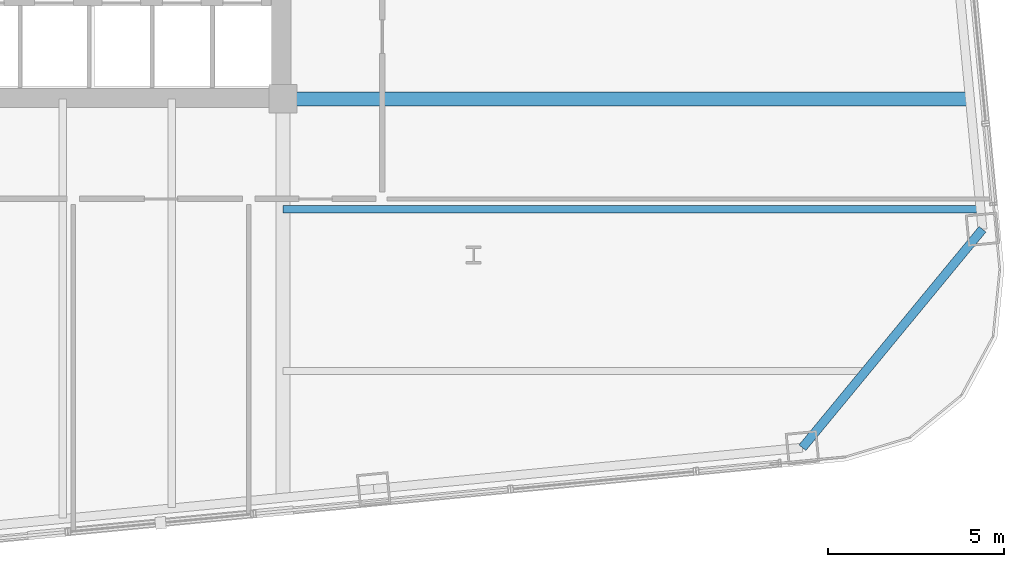
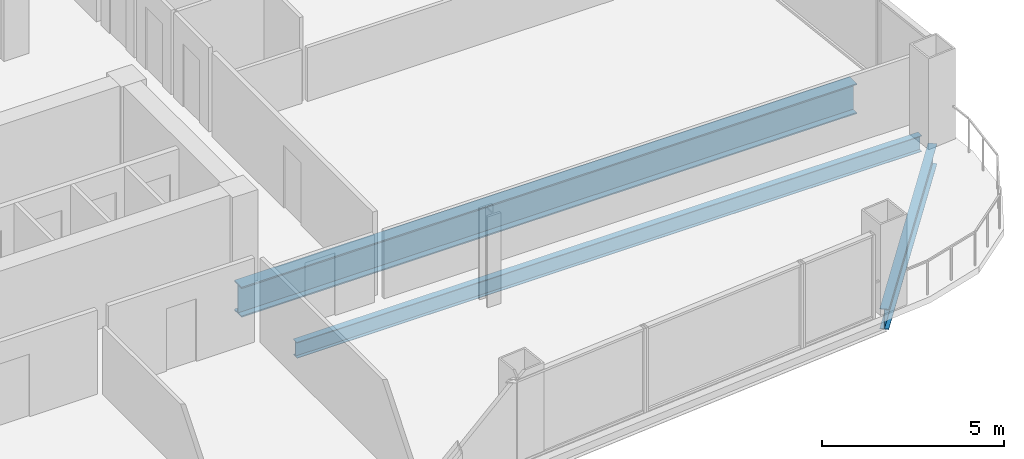
# One storey, part 10 of 27: 3 beams.
"""IFC4 building model written with IfcOpenShell, lengths in metres."""

from ifc_helpers import new_model, si_unit, direction, frame, origin, origin_2d, place, context, subcontext, project, spatial, i_section, extrude, material, material_profile, profile_set, type_object, element, save


model = new_model("IFC4")

# Units and contexts
model_context = context("Model", 3, precision=1e-05, world=origin(), true_north=direction((0.0, 1.0)))
body_context = subcontext(model_context, "Body", "Model", "MODEL_VIEW")
ifc_project = project(units=[si_unit("LENGTHUNIT", "METRE"), si_unit("AREAUNIT", "SQUARE_METRE"), si_unit("VOLUMEUNIT", "CUBIC_METRE"), si_unit("PLANEANGLEUNIT", "RADIAN"), si_unit("MASSUNIT", "GRAM", prefix="KILO")], contexts=[model_context])

# Site, building, storey
site_placement = place(None, origin())
site = spatial("IfcSite", under=ifc_project, at=site_placement, CompositionType="ELEMENT")
building_placement = place(site_placement, origin())
building = spatial("IfcBuilding", under=site, at=building_placement, Name="Qhalaya Broadcast Tower", CompositionType="ELEMENT")
storey_placement = place(building_placement, frame((0.0, 0.0, 84.699951171875)))
storey = spatial("IfcBuildingStorey", under=building, at=storey_placement, Name="L24", CompositionType="ELEMENT", Elevation=84.699951171875)

# Beams
ifc_material = material(Name="Structural Steel ASTM A992 Grade 50", Category="steel")
ifc_material_profile_1 = material_profile(ifc_material, i_section(OverallWidth=0.2099609375, OverallDepth=0.535888671875, WebThickness=0.010986328125, FlangeThickness=0.017333984375, at=origin_2d()), Name="W21X68")
ifc_profile_set_1 = profile_set([ifc_material_profile_1], Name="Structural Steel ASTM A992 Grade 50")
beam_type_1 = type_object("IfcBeamType", Name="Composite Floor Joist J02", PredefinedType="JOIST", material=ifc_profile_set_1)
beam_1_placement = place(storey_placement, frame((9.375, -11.89990234375, -0.488037109375), z_axis=(1.0, 0.0, 0.0), x_axis=(0.0, 1.0, 0.0)))
element("IfcBeam", 1, at=beam_1_placement, inside=storey, type_object=beam_type_1, Name="L24 J02 L24-JWE2E-1", PredefinedType="JOIST", context=body_context, shape_type="SweptSolid", body=[
    extrude(i_section(OverallWidth=0.2099609375, OverallDepth=0.535888671875, WebThickness=0.010986328125, FlangeThickness=0.017333984375, at=origin_2d()), origin(), (0.0, 0.0, 1.0), 19.843017578125),
])
ifc_material_profile_2 = material_profile(ifc_material, i_section(OverallWidth=0.40087890625, OverallDepth=1.010986328125, WebThickness=0.023681640625, FlangeThickness=0.0419921875, at=origin_2d()), Name="W40X297")
ifc_profile_set_2 = profile_set([ifc_material_profile_2], Name="Structural Steel ASTM A992 Grade 50")
beam_type_2 = type_object("IfcBeamType", Name="Lower Block Primary Girder PG2", PredefinedType="USERDEFINED", material=ifc_profile_set_2)
beam_2_placement = place(storey_placement, frame((9.375, -8.75, -0.725341796875), z_axis=(1.0, 0.0, 0.0), x_axis=(0.0, 1.0, 0.0)))
element("IfcBeam", 2, at=beam_2_placement, inside=storey, type_object=beam_type_2, Name="L24 PG2 L24-PGYE1-1", ObjectType="GIRDER", PredefinedType="USERDEFINED", context=body_context, shape_type="SweptSolid", body=[
    extrude(i_section(OverallWidth=0.40087890625, OverallDepth=1.010986328125, WebThickness=0.023681640625, FlangeThickness=0.0419921875, at=origin_2d()), origin(), (0.0, 0.0, 1.0), 19.539794921875),
])
ifc_material_profile_3 = material_profile(ifc_material, i_section(OverallWidth=0.25390625, OverallDepth=0.68310546875, WebThickness=0.012451171875, FlangeThickness=0.01904296875, at=origin_2d()), Name="W27X94")
ifc_profile_set_3 = profile_set([ifc_material_profile_3], Name="Structural Steel ASTM A992 Grade 50")
beam_type_3 = type_object("IfcBeamType", Name="Perimeter Ring Spandrel Beam SP1", PredefinedType="SPANDREL", material=ifc_profile_set_3)
beam_3_placement = place(storey_placement, frame((24.165283203125, -18.685546875, -0.5615234375), z_axis=(0.636052208619, 0.771646025008, 0.0), x_axis=(-0.771646025008, 0.636052208619, 0.0)))
element("IfcBeam", 3, at=beam_3_placement, inside=storey, type_object=beam_type_3, Name="L24 SP1 L24-SPR-04", PredefinedType="SPANDREL", context=body_context, shape_type="SweptSolid", body=[
    extrude(i_section(OverallWidth=0.25390625, OverallDepth=0.68310546875, WebThickness=0.012451171875, FlangeThickness=0.01904296875, at=origin_2d()), origin(), (0.0, 0.0, 1.0), 8.06103515625),
])

save(model, "model.ifc")
